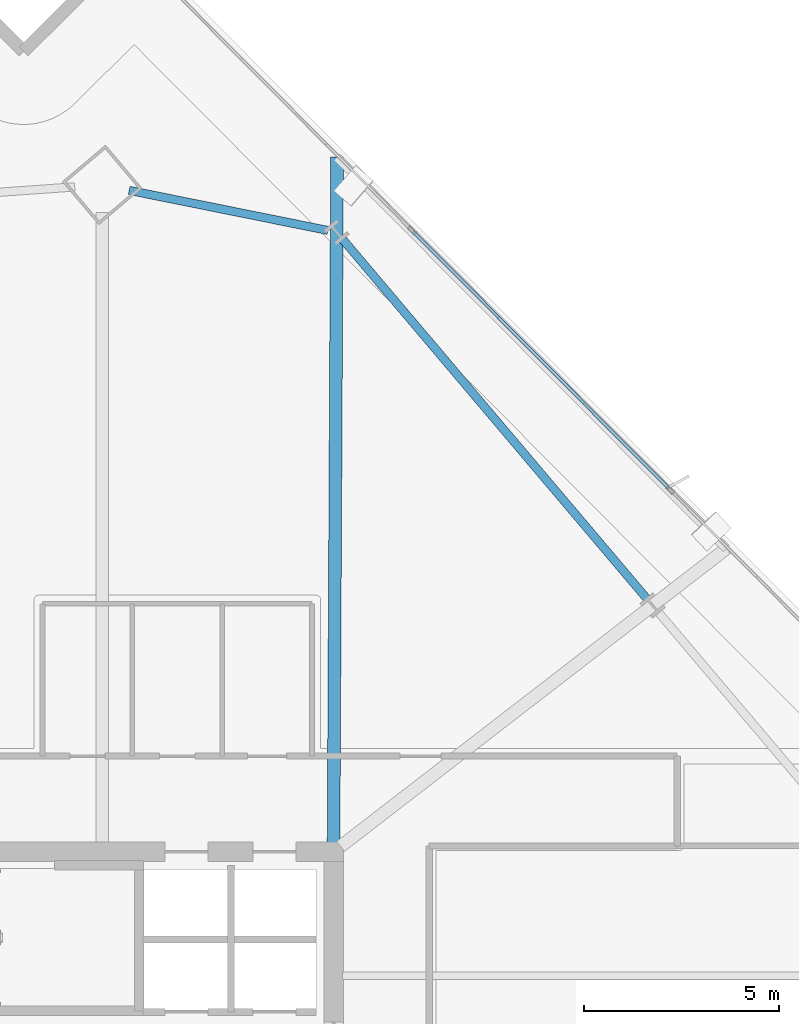
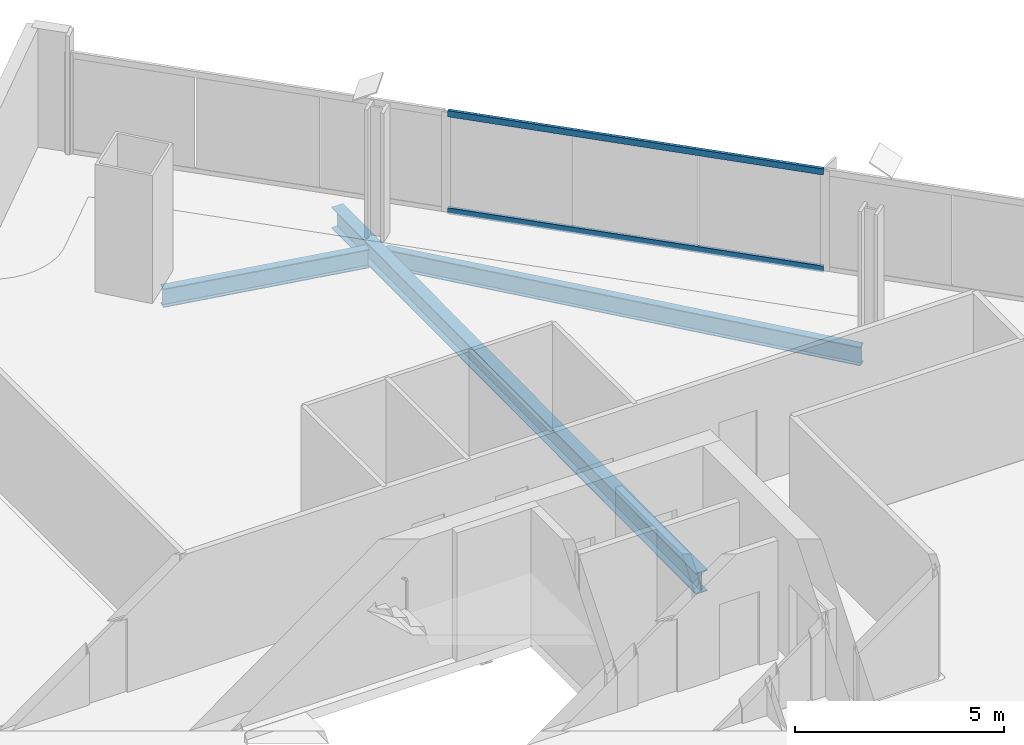
# One storey, part 20 of 32: 3 beams, 2 members, 1 element without a shape of its own.
"""IFC4 building model written with IfcOpenShell, lengths in metres."""

from ifc_helpers import new_model, si_unit, direction, frame, origin, origin_2d, place, context, subcontext, project, spatial, hollow_rectangle, i_section, extrude, material, material_profile, profile_set, type_object, element, aggregate, save


model = new_model("IFC4")

# Units and contexts
model_context = context("Model", 3, precision=1e-05, world=origin(), true_north=direction((0.0, 1.0)))
body_context = subcontext(model_context, "Body", "Model", "MODEL_VIEW")
ifc_project = project(units=[si_unit("LENGTHUNIT", "METRE"), si_unit("AREAUNIT", "SQUARE_METRE"), si_unit("VOLUMEUNIT", "CUBIC_METRE"), si_unit("PLANEANGLEUNIT", "RADIAN"), si_unit("MASSUNIT", "GRAM", prefix="KILO")], contexts=[model_context])

# Site, building, storey
site_placement = place(None, origin())
site = spatial("IfcSite", under=ifc_project, at=site_placement, CompositionType="ELEMENT")
building_placement = place(site_placement, origin())
building = spatial("IfcBuilding", under=site, at=building_placement, Name="Haldenkirk Collegiate Tower", CompositionType="ELEMENT")
storey_placement = place(building_placement, frame((0.0, 0.0, 178.199951171875)))
storey = spatial("IfcBuildingStorey", under=building, at=storey_placement, Name="L44", CompositionType="ELEMENT", Elevation=178.199951171875)

# Beams
ifc_material_1 = material(Name="Steel ASTM A992 Grade 50", Category="steel")
ifc_material_profile_1 = material_profile(ifc_material_1, i_section(OverallWidth=0.324951171875, OverallDepth=0.615966796875, WebThickness=0.013916015625, FlangeThickness=0.021484375, at=origin_2d()), Name="W24X117")
ifc_profile_set_1 = profile_set([ifc_material_profile_1], Name="Steel ASTM A992 Grade 50")
beam_type_1 = type_object("IfcBeamType", Name="BM-GIRDER-W24X117", PredefinedType="BEAM", material=ifc_profile_set_1)
beam_1_placement = place(storey_placement, frame((45.089599609375, 51.786376953125, -0.597900390625), z_axis=(-0.005033936579, -0.999987329661, 0.0), x_axis=(0.999987329661, -0.005033936579, 0.0)))
element("IfcBeam", 1, at=beam_1_placement, inside=storey, type_object=beam_type_1, Name="L44 primary floor girder 10", PredefinedType="BEAM", context=body_context, shape_type="SweptSolid", body=[
    extrude(i_section(OverallWidth=0.324951171875, OverallDepth=0.615966796875, WebThickness=0.013916015625, FlangeThickness=0.021484375, at=origin_2d()), origin(), (0.0, 0.0, 1.0), 17.556640625),
])
ifc_material_profile_2 = material_profile(ifc_material_1, i_section(OverallWidth=0.2119140625, OverallDepth=0.5439453125, WebThickness=0.01318359375, FlangeThickness=0.021240234375, at=origin_2d()), Name="W21X83")
ifc_profile_set_2 = profile_set([ifc_material_profile_2], Name="Steel ASTM A992 Grade 50")
beam_type_2 = type_object("IfcBeamType", Name="BM-SPANDREL-W21X83", PredefinedType="SPANDREL", material=ifc_profile_set_2)
beam_2_placement = place(storey_placement, frame((53.023193359375, 40.482177734375, -0.56201171875), z_axis=(-0.646126367676, 0.763230448157, 0.0), x_axis=(-0.763230448157, -0.646126367676, 0.0)))
element("IfcBeam", 2, at=beam_2_placement, inside=storey, type_object=beam_type_2, Name="L44 perimeter spandrel beam 07", PredefinedType="SPANDREL", context=body_context, shape_type="SweptSolid", body=[
    extrude(i_section(OverallWidth=0.2119140625, OverallDepth=0.5439453125, WebThickness=0.01318359375, FlangeThickness=0.021240234375, at=origin_2d()), origin(), (0.0, 0.0, 1.0), 12.06494140625),
])
beam_3_placement = place(storey_placement, frame((44.85546875, 49.910400390625, -0.56201171875), z_axis=(-0.980286465062, 0.197581493102, 0.0), x_axis=(-0.197581493102, -0.980286465062, 0.0)))
element("IfcBeam", 3, at=beam_3_placement, inside=storey, type_object=beam_type_2, Name="L44 perimeter spandrel beam 08", PredefinedType="SPANDREL", context=body_context, shape_type="SweptSolid", body=[
    extrude(i_section(OverallWidth=0.2119140625, OverallDepth=0.5439453125, WebThickness=0.01318359375, FlangeThickness=0.021240234375, at=origin_2d()), origin(), (0.0, 0.0, 1.0), 5.189697265625),
])

# Curtain wall, members
ifc_material_2 = material(Name="Anodised architectural bronze aluminium", Category="aluminium")
curtain_wall_type = type_object("IfcCurtainWallType", Name="CW-SYS1-CONVEX-LOW", PredefinedType="USERDEFINED", material=ifc_material_2)
curtain_wall_placement = place(storey_placement, origin())
curtain_wall = element("IfcCurtainWall", 4, at=curtain_wall_placement, inside=storey, type_object=curtain_wall_type, Name="L44 Lower tower convex bronze-framed unitised curtain wall", ObjectType="UNITISED CURTAIN WALL", PredefinedType="USERDEFINED")
ifc_material_profile_3 = material_profile(ifc_material_2, hollow_rectangle(XDim=0.080078125, YDim=0.179931640625, WallThickness=0.0048828125, at=origin_2d()), Name="CW-TRN-1A")
ifc_profile_set_3 = profile_set([ifc_material_profile_3], Name="Anodised architectural bronze aluminium")
member_type = type_object("IfcMemberType", Name="CW-TRN-1A", PredefinedType="USERDEFINED", material=ifc_profile_set_3)
member_1_placement = place(storey_placement, frame((47.04296875, 49.87939453125, 0.0400390625), z_axis=(0.705251402767, -0.708957304, 0.0), x_axis=(0.708957304, 0.705251402767, 0.0)))
member_1 = element("IfcMember", 5, at=member_1_placement, type_object=member_type, Name="CW-1A transom 2.1", ObjectType="TRANSOM", PredefinedType="USERDEFINED", context=body_context, shape_type="SweptSolid", body=[
    extrude(hollow_rectangle(XDim=0.080078125, YDim=0.179931640625, WallThickness=0.0048828125, at=origin_2d()), origin(), (0.0, 0.0, 1.0), 9.288818359375),
])
member_2_placement = place(storey_placement, frame((47.04296875, 49.87939453125, 2.87109375), z_axis=(0.705251402767, -0.708957304, 0.0), x_axis=(0.708957304, 0.705251402767, 0.0)))
member_2 = element("IfcMember", 6, at=member_2_placement, type_object=member_type, Name="CW-1A transom 2.2", ObjectType="TRANSOM", PredefinedType="USERDEFINED", context=body_context, shape_type="SweptSolid", body=[
    extrude(hollow_rectangle(XDim=0.080078125, YDim=0.179931640625, WallThickness=0.0048828125, at=origin_2d()), origin(), (0.0, 0.0, 1.0), 9.288818359375),
])
aggregate(curtain_wall, [member_1, member_2])

save(model, "model.ifc")
